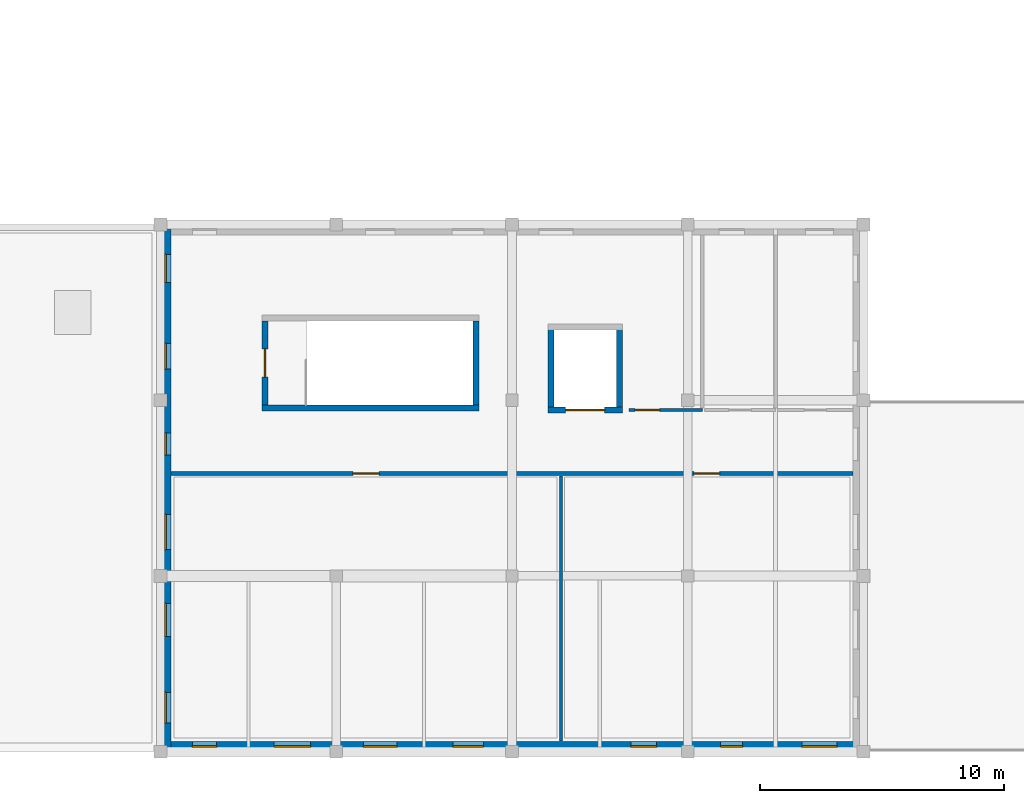
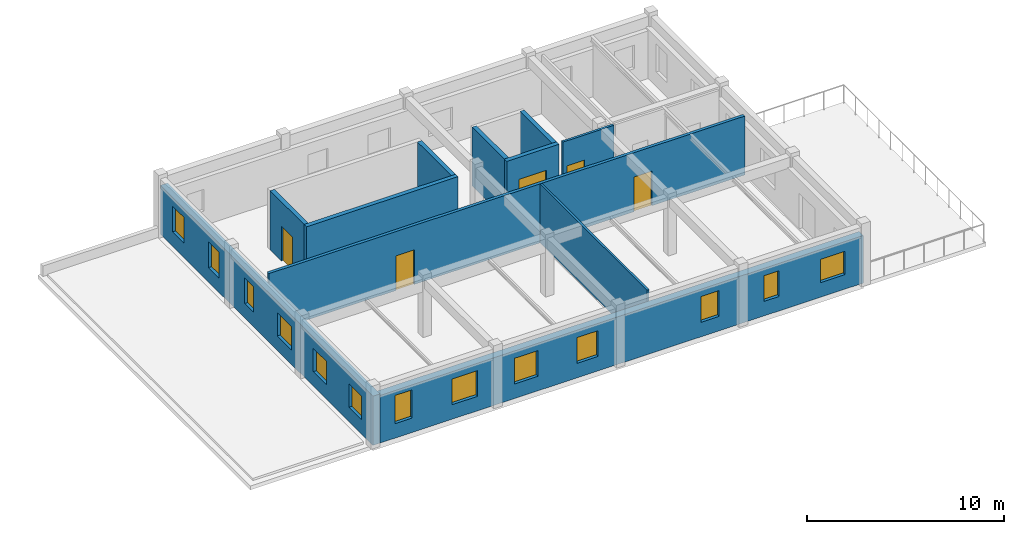
# One storey, part 9 of 20: 13 windows, 11 walls, 5 doors, 18 openings.
"""IFC4 building model written with IfcOpenShell, lengths in metres."""

from ifc_helpers import new_model, si_unit, direction, frame, frame_2d, origin, place, context, subcontext, project, spatial, rectangle, extrude, material, layer, layer_set, type_object, element, fill, save


model = new_model("IFC4")

# Units and contexts
model_context = context("Model", 3, precision=1e-05, world=origin(), true_north=direction((0.0, 1.0)))
body_context = subcontext(model_context, "Body", "Model", "MODEL_VIEW")
ifc_project = project(units=[si_unit("LENGTHUNIT", "METRE"), si_unit("AREAUNIT", "SQUARE_METRE"), si_unit("VOLUMEUNIT", "CUBIC_METRE"), si_unit("PLANEANGLEUNIT", "RADIAN"), si_unit("MASSUNIT", "GRAM", prefix="KILO")], contexts=[model_context])

# Site, building, storey
site_placement = place(None, origin())
site = spatial("IfcSite", under=ifc_project, at=site_placement, CompositionType="ELEMENT")
building_placement = place(site_placement, origin())
building = spatial("IfcBuilding", under=site, at=building_placement, Name="Bramveld Media Centre", CompositionType="ELEMENT")
storey_placement = place(building_placement, frame((0.0, 0.0, 18.0)))
storey = spatial("IfcBuildingStorey", under=building, at=storey_placement, Name="L04", CompositionType="ELEMENT", Elevation=18.0)

# Wall
ifc_material_1 = material(Name="Concrete C40/50 stair & lift core wall", Category="concrete")
ifc_layer_1 = layer(ifc_material_1, 0.25)
ifc_layer_set_1 = layer_set([ifc_layer_1], Name="Concrete C40/50 stair & lift core wall")
wall_type_1 = type_object("IfcWallType", Name="CWALL-SHEAR-250", PredefinedType="SHEAR", material=ifc_layer_set_1)
wall_1_placement = place(storey_placement, frame((69.75, 14.074951171875, 0.0), z_axis=(0.0, 0.0, 1.0), x_axis=(1.0, 0.0, 0.0)))
element("IfcWall", 1, at=wall_1_placement, inside=storey, type_object=wall_type_1, Name="ST-06 L04 stair core shear wall S", PredefinedType="SHEAR", context=body_context, shape_type="SweptSolid", body=[
    extrude(rectangle(XDim=8.89990234375, YDim=0.25, at=frame_2d((4.449951171875, 0.0))), origin(), (0.0, 0.0, 1.0), 3.659912109375),
])

# Wall, opening, door
wall_2_placement = place(storey_placement, frame((69.875, 17.64990234375, 0.0), z_axis=(0.0, 0.0, 1.0), x_axis=(0.0, -1.0, 0.0)))
wall_2 = element("IfcWall", 2, at=wall_2_placement, inside=storey, type_object=wall_type_1, Name="ST-06 L04 stair core shear wall W", PredefinedType="SHEAR", context=body_context, shape_type="SweptSolid", body=[
    extrude(rectangle(XDim=3.449951171875, YDim=0.25, at=frame_2d((1.72509765625, 0.0))), origin(), (0.0, 0.0, 1.0), 3.659912109375),
])
opening_1_placement = place(wall_2_placement, frame((1.14990234375, 0.0, 0.0)))
opening_1 = element("IfcOpeningElement", 3, at=opening_1_placement, cuts=wall_2, Name="Opening SD-06-L04", PredefinedType="OPENING", context=body_context, shape_type="SweptSolid", body=[
    extrude(rectangle(XDim=1.14990234375, YDim=2.14990234375, at=frame_2d((0.574951171875, 1.074951171875))), frame((0.0, 0.136962890625, 0.0), z_axis=(0.0, -1.0, 0.0), x_axis=(1.0, 0.0, 0.0)), (0.0, 0.0, 1.0), 0.27392578125),
])
ifc_material_2 = material(Name="Painted galvanized steel acoustic fire door with intumescent smoke seals", Category="steel")
door_type_1 = type_object("IfcDoorType", Name="DR-ST-1150", OperationType="NOTDEFINED", PredefinedType="DOOR", material=ifc_material_2)
door_1_placement = place(opening_1_placement, origin())
door_1 = element("IfcDoor", 4, at=door_1_placement, inside=storey, type_object=door_type_1, Name="ST-06 L04 pressurized stair fire door", OperationType="SINGLE_SWING_RIGHT", OverallHeight=2.14990234375, OverallWidth=1.14990234375, PredefinedType="DOOR", context=body_context, shape_type="SweptSolid", body=[
    extrude(rectangle(XDim=1.14990234375, YDim=2.14990234375, at=frame_2d((0.574951171875, 1.074951171875))), frame((0.0, 0.02490234375, 0.0), z_axis=(0.0, -1.0, 0.0), x_axis=(1.0, 0.0, 0.0)), (0.0, 0.0, 1.0), 0.050048828125),
])
fill(opening_1, door_1)

# Wall
wall_3_placement = place(storey_placement, frame((78.52490234375, 14.199951171875, 0.0), z_axis=(0.0, 0.0, 1.0), x_axis=(0.0, 1.0, 0.0)))
element("IfcWall", 5, at=wall_3_placement, inside=storey, type_object=wall_type_1, Name="ST-06 L04 stair core shear wall E", PredefinedType="SHEAR", context=body_context, shape_type="SweptSolid", body=[
    extrude(rectangle(XDim=3.449951171875, YDim=0.25, at=frame_2d((1.72509765625, 0.0))), origin(), (0.0, 0.0, 1.0), 3.659912109375),
])

# Wall, opening, door
wall_4_placement = place(storey_placement, frame((81.47509765625, 14.0, 0.0), z_axis=(0.0, 0.0, 1.0), x_axis=(1.0, 0.0, 0.0)))
wall_4 = element("IfcWall", 6, at=wall_4_placement, inside=storey, type_object=wall_type_1, Name="GL-01 L04 lift shaft wall S", PredefinedType="SHEAR", context=body_context, shape_type="SweptSolid", body=[
    extrude(rectangle(XDim=3.0498046875, YDim=0.25, at=frame_2d((1.52490234375, 0.0))), origin(), (0.0, 0.0, 1.0), 3.659912109375),
])
opening_2_placement = place(wall_4_placement, frame((0.72509765625, 0.0, 0.0)))
opening_2 = element("IfcOpeningElement", 7, at=opening_2_placement, cuts=wall_4, Name="Opening LD-04-01-L04", PredefinedType="OPENING", context=body_context, shape_type="SweptSolid", body=[
    extrude(rectangle(XDim=1.60009765625, YDim=2.300048828125, at=frame_2d((0.800048828125, 1.14990234375))), frame((0.0, 0.136962890625, 0.0), z_axis=(0.0, -1.0, 0.0), x_axis=(1.0, 0.0, 0.0)), (0.0, 0.0, 1.0), 0.27392578125),
])
ifc_material_3 = material(Name="Brushed stainless steel automatic fire-rated sliding lift landing door", Category="steel")
door_type_2 = type_object("IfcDoorType", Name="LD-TYPE-04", OperationType="DOUBLE_DOOR_SLIDING", PredefinedType="DOOR", material=ifc_material_3)
door_2_placement = place(opening_2_placement, origin())
door_2 = element("IfcDoor", 8, at=door_2_placement, inside=storey, type_object=door_type_2, Name="GL-01 L04 sliding lift landing door", OperationType="DOUBLE_DOOR_SLIDING", OverallHeight=2.300048828125, OverallWidth=1.60009765625, PredefinedType="DOOR", context=body_context, shape_type="SweptSolid", body=[
    extrude(rectangle(XDim=1.60009765625, YDim=2.300048828125, at=frame_2d((0.800048828125, 1.14990234375))), frame((0.0, 0.02490234375, 0.0), z_axis=(0.0, -1.0, 0.0), x_axis=(1.0, 0.0, 0.0)), (0.0, 0.0, 1.0), 0.050048828125),
])
fill(opening_2, door_2)

# Walls
for number, where, z_axis, x_axis, name in (
    (9, (81.60009765625, 17.39990234375, 0.0), (0.0, 0.0, 1.0), (0.0, -1.0, 0.0), "GL-01 L04 lift shaft wall W"),
    (10, (84.39990234375, 14.0, 0.0), (0.0, 0.0, 1.0), (0.0, 1.0, 0.0), "GL-01 L04 lift shaft wall E"),
):
    element("IfcWall", number, at=place(storey_placement, frame(where, z_axis=z_axis, x_axis=x_axis)), inside=storey, type_object=wall_type_1, Name=name, PredefinedType="SHEAR", context=body_context, shape_type="SweptSolid", body=[
        extrude(rectangle(XDim=3.39990234375, YDim=0.25, at=frame_2d((1.699951171875, 0.0))), origin(), (0.0, 0.0, 1.0), 3.659912109375),
    ])

# Wall, openings, windows
ifc_material_4 = material(Name="Flemish red-brown clay facing brick cavity wall with concrete C35/45 inner leaf", Category="masonry")
ifc_layer_2 = layer(ifc_material_4, 0.419921875)
ifc_layer_set_2 = layer_set([ifc_layer_2], Name="Flemish red-brown clay facing brick cavity wall with concrete C35/45 inner leaf")
wall_type_2 = type_object("IfcWallType", Name="EW-BRK-420", PredefinedType="SOLIDWALL", material=ifc_layer_set_2)
wall_5_placement = place(storey_placement, frame((94.39990234375, 0.2099609375, 0.0), z_axis=(0.0, 0.0, 1.0), x_axis=(-1.0, 0.0, 0.0)))
wall_5 = element("IfcWall", 11, at=wall_5_placement, inside=storey, type_object=wall_type_2, Name="V5 L04 S facing brick exterior wall", PredefinedType="SOLIDWALL", context=body_context, shape_type="SweptSolid", body=[
    extrude(rectangle(XDim=28.7998046875, YDim=0.419921875, at=frame_2d((14.39990234375, 0.0))), origin(), (0.0, 0.0, 1.0), 2.955078125),
])
opening_3_placement = place(wall_5_placement, frame((1.074951171875, 0.0, 0.89990234375)))
opening_3 = element("IfcOpeningElement", 12, at=opening_3_placement, cuts=wall_5, Name="Opening W-12", PredefinedType="OPENING", context=body_context, shape_type="SweptSolid", body=[
    extrude(rectangle(XDim=1.449951171875, YDim=1.449951171875, at=frame_2d((0.72509765625, 0.72509765625))), frame((0.0, 0.221923828125, 0.0), z_axis=(0.0, -1.0, 0.0), x_axis=(1.0, 0.0, 0.0)), (0.0, 0.0, 1.0), 0.44384765625),
])
opening_4_placement = place(wall_5_placement, frame((4.949951171875, 0.0, 0.89990234375)))
opening_4 = element("IfcOpeningElement", 13, at=opening_4_placement, cuts=wall_5, Name="Opening W-13", PredefinedType="OPENING", context=body_context, shape_type="SweptSolid", body=[
    extrude(rectangle(XDim=0.89990234375, YDim=1.60009765625, at=frame_2d((0.449951171875, 0.800048828125))), frame((0.0, 0.221923828125, 0.0), z_axis=(0.0, -1.0, 0.0), x_axis=(1.0, 0.0, 0.0)), (0.0, 0.0, 1.0), 0.44384765625),
])
opening_5_placement = place(wall_5_placement, frame((8.47509765625, 0.0, 0.89990234375)))
opening_5 = element("IfcOpeningElement", 14, at=opening_5_placement, cuts=wall_5, Name="Opening W-14", PredefinedType="OPENING", context=body_context, shape_type="SweptSolid", body=[
    extrude(rectangle(XDim=1.050048828125, YDim=1.60009765625, at=frame_2d((0.52490234375, 0.800048828125))), frame((0.0, 0.221923828125, 0.0), z_axis=(0.0, -1.0, 0.0), x_axis=(1.0, 0.0, 0.0)), (0.0, 0.0, 1.0), 0.44384765625),
])
opening_6_placement = place(wall_5_placement, frame((15.574951171875, 0.0, 0.89990234375)))
opening_6 = element("IfcOpeningElement", 15, at=opening_6_placement, cuts=wall_5, Name="Opening W-16", PredefinedType="OPENING", context=body_context, shape_type="SweptSolid", body=[
    extrude(rectangle(XDim=1.25, YDim=1.60009765625, at=frame_2d((0.625, 0.800048828125))), frame((0.0, 0.221923828125, 0.0), z_axis=(0.0, -1.0, 0.0), x_axis=(1.0, 0.0, 0.0)), (0.0, 0.0, 1.0), 0.44384765625),
])
opening_7_placement = place(wall_5_placement, frame((19.110107421875, 0.0, 0.89990234375)))
opening_7 = element("IfcOpeningElement", 16, at=opening_7_placement, cuts=wall_5, Name="Opening W-17", PredefinedType="OPENING", context=body_context, shape_type="SweptSolid", body=[
    extrude(rectangle(XDim=1.3798828125, YDim=1.60009765625, at=frame_2d((0.68994140625, 0.800048828125))), frame((0.0, 0.221923828125, 0.0), z_axis=(0.0, -1.0, 0.0), x_axis=(1.0, 0.0, 0.0)), (0.0, 0.0, 1.0), 0.44384765625),
])
opening_8_placement = place(wall_5_placement, frame((22.64990234375, 0.0, 0.89990234375)))
opening_8 = element("IfcOpeningElement", 17, at=opening_8_placement, cuts=wall_5, Name="Opening W-18", PredefinedType="OPENING", context=body_context, shape_type="SweptSolid", body=[
    extrude(rectangle(XDim=1.5, YDim=1.60009765625, at=frame_2d((0.75, 0.800048828125))), frame((0.0, 0.221923828125, 0.0), z_axis=(0.0, -1.0, 0.0), x_axis=(1.0, 0.0, 0.0)), (0.0, 0.0, 1.0), 0.44384765625),
])
opening_9_placement = place(wall_5_placement, frame((26.5, 0.0, 0.89990234375)))
opening_9 = element("IfcOpeningElement", 18, at=opening_9_placement, cuts=wall_5, Name="Opening W-19", PredefinedType="OPENING", context=body_context, shape_type="SweptSolid", body=[
    extrude(rectangle(XDim=1.0, YDim=1.75, at=frame_2d((0.5, 0.875))), frame((0.0, 0.221923828125, 0.0), z_axis=(0.0, -1.0, 0.0), x_axis=(1.0, 0.0, 0.0)), (0.0, 0.0, 1.0), 0.44384765625),
])
ifc_material_5 = material(Name="Thermally broken anodized bronze aluminium frame with triple acoustic glazing", Category="aluminium")
window_type_1 = type_object("IfcWindowType", Name="WIN-FAC-12", PartitioningType="SINGLE_PANEL", PredefinedType="WINDOW", material=ifc_material_5)
window_1_placement = place(opening_3_placement, origin())
window_1 = element("IfcWindow", 19, at=window_1_placement, inside=storey, type_object=window_type_1, Name="V5 L04 S acoustic facade window", OverallHeight=1.449951171875, OverallWidth=1.449951171875, PartitioningType="SINGLE_PANEL", PredefinedType="WINDOW", context=body_context, shape_type="SweptSolid", body=[
    extrude(rectangle(XDim=1.449951171875, YDim=1.449951171875, at=frame_2d((0.72509765625, 0.72509765625))), frame((0.0, 0.030029296875, 0.0), z_axis=(0.0, -1.0, 0.0), x_axis=(1.0, 0.0, 0.0)), (0.0, 0.0, 1.0), 0.06005859375),
])
fill(opening_3, window_1)
ifc_material_6 = material(Name="Thermally broken anodized bronze aluminium frame with triple acoustic glazing", Category="aluminium")
window_type_2 = type_object("IfcWindowType", Name="WIN-FAC-13", PartitioningType="SINGLE_PANEL", PredefinedType="WINDOW", material=ifc_material_6)
window_2_placement = place(opening_4_placement, origin())
window_2 = element("IfcWindow", 20, at=window_2_placement, inside=storey, type_object=window_type_2, Name="V5 L04 S acoustic facade window", OverallHeight=1.60009765625, OverallWidth=0.89990234375, PartitioningType="SINGLE_PANEL", PredefinedType="WINDOW", context=body_context, shape_type="SweptSolid", body=[
    extrude(rectangle(XDim=0.89990234375, YDim=1.60009765625, at=frame_2d((0.449951171875, 0.800048828125))), frame((0.0, 0.030029296875, 0.0), z_axis=(0.0, -1.0, 0.0), x_axis=(1.0, 0.0, 0.0)), (0.0, 0.0, 1.0), 0.06005859375),
])
fill(opening_4, window_2)
ifc_material_7 = material(Name="Thermally broken anodized bronze aluminium frame with triple acoustic glazing", Category="aluminium")
window_type_3 = type_object("IfcWindowType", Name="WIN-FAC-14", PartitioningType="SINGLE_PANEL", PredefinedType="WINDOW", material=ifc_material_7)
window_3_placement = place(opening_5_placement, origin())
window_3 = element("IfcWindow", 21, at=window_3_placement, inside=storey, type_object=window_type_3, Name="V5 L04 S acoustic facade window", OverallHeight=1.60009765625, OverallWidth=1.050048828125, PartitioningType="SINGLE_PANEL", PredefinedType="WINDOW", context=body_context, shape_type="SweptSolid", body=[
    extrude(rectangle(XDim=1.050048828125, YDim=1.60009765625, at=frame_2d((0.52490234375, 0.800048828125))), frame((0.0, 0.030029296875, 0.0), z_axis=(0.0, -1.0, 0.0), x_axis=(1.0, 0.0, 0.0)), (0.0, 0.0, 1.0), 0.06005859375),
])
fill(opening_5, window_3)
ifc_material_8 = material(Name="Thermally broken anodized bronze aluminium frame with triple acoustic glazing", Category="aluminium")
window_type_4 = type_object("IfcWindowType", Name="WIN-FAC-16", PartitioningType="SINGLE_PANEL", PredefinedType="WINDOW", material=ifc_material_8)
window_4_placement = place(opening_6_placement, origin())
window_4 = element("IfcWindow", 22, at=window_4_placement, inside=storey, type_object=window_type_4, Name="V5 L04 S acoustic facade window", OverallHeight=1.60009765625, OverallWidth=1.25, PartitioningType="SINGLE_PANEL", PredefinedType="WINDOW", context=body_context, shape_type="SweptSolid", body=[
    extrude(rectangle(XDim=1.25, YDim=1.60009765625, at=frame_2d((0.625, 0.800048828125))), frame((0.0, 0.030029296875, 0.0), z_axis=(0.0, -1.0, 0.0), x_axis=(1.0, 0.0, 0.0)), (0.0, 0.0, 1.0), 0.06005859375),
])
fill(opening_6, window_4)
ifc_material_9 = material(Name="Thermally broken anodized bronze aluminium frame with triple acoustic glazing", Category="aluminium")
window_type_5 = type_object("IfcWindowType", Name="WIN-FAC-17", PartitioningType="SINGLE_PANEL", PredefinedType="WINDOW", material=ifc_material_9)
window_5_placement = place(opening_7_placement, origin())
window_5 = element("IfcWindow", 23, at=window_5_placement, inside=storey, type_object=window_type_5, Name="V5 L04 S acoustic facade window", OverallHeight=1.60009765625, OverallWidth=1.3798828125, PartitioningType="SINGLE_PANEL", PredefinedType="WINDOW", context=body_context, shape_type="SweptSolid", body=[
    extrude(rectangle(XDim=1.3798828125, YDim=1.60009765625, at=frame_2d((0.68994140625, 0.800048828125))), frame((0.0, 0.030029296875, 0.0), z_axis=(0.0, -1.0, 0.0), x_axis=(1.0, 0.0, 0.0)), (0.0, 0.0, 1.0), 0.06005859375),
])
fill(opening_7, window_5)
ifc_material_10 = material(Name="Thermally broken anodized bronze aluminium frame with triple acoustic glazing", Category="aluminium")
window_type_6 = type_object("IfcWindowType", Name="WIN-FAC-18", PartitioningType="SINGLE_PANEL", PredefinedType="WINDOW", material=ifc_material_10)
window_6_placement = place(opening_8_placement, origin())
window_6 = element("IfcWindow", 24, at=window_6_placement, inside=storey, type_object=window_type_6, Name="V5 L04 S acoustic facade window", OverallHeight=1.60009765625, OverallWidth=1.5, PartitioningType="SINGLE_PANEL", PredefinedType="WINDOW", context=body_context, shape_type="SweptSolid", body=[
    extrude(rectangle(XDim=1.5, YDim=1.60009765625, at=frame_2d((0.75, 0.800048828125))), frame((0.0, 0.030029296875, 0.0), z_axis=(0.0, -1.0, 0.0), x_axis=(1.0, 0.0, 0.0)), (0.0, 0.0, 1.0), 0.06005859375),
])
fill(opening_8, window_6)
ifc_material_11 = material(Name="Thermally broken anodized bronze aluminium frame with triple acoustic glazing", Category="aluminium")
window_type_7 = type_object("IfcWindowType", Name="WIN-FAC-19", PartitioningType="SINGLE_PANEL", PredefinedType="WINDOW", material=ifc_material_11)
window_7_placement = place(opening_9_placement, origin())
window_7 = element("IfcWindow", 25, at=window_7_placement, inside=storey, type_object=window_type_7, Name="V5 L04 S acoustic facade window", OverallHeight=1.75, OverallWidth=1.0, PartitioningType="SINGLE_PANEL", PredefinedType="WINDOW", context=body_context, shape_type="SweptSolid", body=[
    extrude(rectangle(XDim=1.0, YDim=1.75, at=frame_2d((0.5, 0.875))), frame((0.0, 0.030029296875, 0.0), z_axis=(0.0, -1.0, 0.0), x_axis=(1.0, 0.0, 0.0)), (0.0, 0.0, 1.0), 0.06005859375),
])
fill(opening_9, window_7)

wall_6_placement = place(storey_placement, frame((65.81005859375, 0.0, 0.0), z_axis=(0.0, 0.0, 1.0), x_axis=(0.0, 1.0, 0.0)))
wall_6 = element("IfcWall", 26, at=wall_6_placement, inside=storey, type_object=wall_type_2, Name="V5 L04 W facing brick exterior wall", PredefinedType="SOLIDWALL", context=body_context, shape_type="SweptSolid", body=[
    extrude(rectangle(XDim=21.60009765625, YDim=0.419921875, at=frame_2d((10.800048828125, 0.0))), origin(), (0.0, 0.0, 1.0), 3.054931640625),
])
opening_10_placement = place(wall_6_placement, frame((1.175048828125, 0.0, 0.89990234375)))
opening_10 = element("IfcOpeningElement", 27, at=opening_10_placement, cuts=wall_6, Name="Opening W-10", PredefinedType="OPENING", context=body_context, shape_type="SweptSolid", body=[
    extrude(rectangle(XDim=1.25, YDim=1.449951171875, at=frame_2d((0.625, 0.72509765625))), frame((0.0, 0.221923828125, 0.0), z_axis=(0.0, -1.0, 0.0), x_axis=(1.0, 0.0, 0.0)), (0.0, 0.0, 1.0), 0.44384765625),
])
opening_11_placement = place(wall_6_placement, frame((4.72509765625, 0.0, 0.89990234375)))
opening_11 = element("IfcOpeningElement", 28, at=opening_11_placement, cuts=wall_6, Name="Opening W-11", PredefinedType="OPENING", context=body_context, shape_type="SweptSolid", body=[
    extrude(rectangle(XDim=1.35009765625, YDim=1.449951171875, at=frame_2d((0.675048828125, 0.72509765625))), frame((0.0, 0.221923828125, 0.0), z_axis=(0.0, -1.0, 0.0), x_axis=(1.0, 0.0, 0.0)), (0.0, 0.0, 1.0), 0.44384765625),
])
opening_12_placement = place(wall_6_placement, frame((8.27490234375, 0.0, 0.89990234375)))
opening_12 = element("IfcOpeningElement", 29, at=opening_12_placement, cuts=wall_6, Name="Opening W-12", PredefinedType="OPENING", context=body_context, shape_type="SweptSolid", body=[
    extrude(rectangle(XDim=1.449951171875, YDim=1.449951171875, at=frame_2d((0.72509765625, 0.72509765625))), frame((0.0, 0.221923828125, 0.0), z_axis=(0.0, -1.0, 0.0), x_axis=(1.0, 0.0, 0.0)), (0.0, 0.0, 1.0), 0.44384765625),
])
opening_13_placement = place(wall_6_placement, frame((12.14990234375, 0.0, 0.89990234375)))
opening_13 = element("IfcOpeningElement", 30, at=opening_13_placement, cuts=wall_6, Name="Opening W-13", PredefinedType="OPENING", context=body_context, shape_type="SweptSolid", body=[
    extrude(rectangle(XDim=0.89990234375, YDim=1.60009765625, at=frame_2d((0.449951171875, 0.800048828125))), frame((0.0, 0.221923828125, 0.0), z_axis=(0.0, -1.0, 0.0), x_axis=(1.0, 0.0, 0.0)), (0.0, 0.0, 1.0), 0.44384765625),
])
opening_14_placement = place(wall_6_placement, frame((15.675048828125, 0.0, 0.89990234375)))
opening_14 = element("IfcOpeningElement", 31, at=opening_14_placement, cuts=wall_6, Name="Opening W-14", PredefinedType="OPENING", context=body_context, shape_type="SweptSolid", body=[
    extrude(rectangle(XDim=1.050048828125, YDim=1.60009765625, at=frame_2d((0.52490234375, 0.800048828125))), frame((0.0, 0.221923828125, 0.0), z_axis=(0.0, -1.0, 0.0), x_axis=(1.0, 0.0, 0.0)), (0.0, 0.0, 1.0), 0.44384765625),
])
opening_15_placement = place(wall_6_placement, frame((19.22509765625, 0.0, 0.89990234375)))
opening_15 = element("IfcOpeningElement", 32, at=opening_15_placement, cuts=wall_6, Name="Opening W-15", PredefinedType="OPENING", context=body_context, shape_type="SweptSolid", body=[
    extrude(rectangle(XDim=1.14990234375, YDim=1.60009765625, at=frame_2d((0.574951171875, 0.800048828125))), frame((0.0, 0.221923828125, 0.0), z_axis=(0.0, -1.0, 0.0), x_axis=(1.0, 0.0, 0.0)), (0.0, 0.0, 1.0), 0.44384765625),
])
ifc_material_12 = material(Name="Thermally broken anodized bronze aluminium frame with triple acoustic glazing", Category="aluminium")
window_type_8 = type_object("IfcWindowType", Name="WIN-FAC-10", PartitioningType="SINGLE_PANEL", PredefinedType="WINDOW", material=ifc_material_12)
window_8_placement = place(opening_10_placement, origin())
window_8 = element("IfcWindow", 33, at=window_8_placement, inside=storey, type_object=window_type_8, Name="V5 L04 W acoustic facade window", OverallHeight=1.449951171875, OverallWidth=1.25, PartitioningType="SINGLE_PANEL", PredefinedType="WINDOW", context=body_context, shape_type="SweptSolid", body=[
    extrude(rectangle(XDim=1.25, YDim=1.449951171875, at=frame_2d((0.625, 0.72509765625))), frame((0.0, 0.030029296875, 0.0), z_axis=(0.0, -1.0, 0.0), x_axis=(1.0, 0.0, 0.0)), (0.0, 0.0, 1.0), 0.06005859375),
])
fill(opening_10, window_8)
ifc_material_13 = material(Name="Thermally broken anodized bronze aluminium frame with triple acoustic glazing", Category="aluminium")
window_type_9 = type_object("IfcWindowType", Name="WIN-FAC-11", PartitioningType="SINGLE_PANEL", PredefinedType="WINDOW", material=ifc_material_13)
window_9_placement = place(opening_11_placement, origin())
window_9 = element("IfcWindow", 34, at=window_9_placement, inside=storey, type_object=window_type_9, Name="V5 L04 W acoustic facade window", OverallHeight=1.449951171875, OverallWidth=1.35009765625, PartitioningType="SINGLE_PANEL", PredefinedType="WINDOW", context=body_context, shape_type="SweptSolid", body=[
    extrude(rectangle(XDim=1.35009765625, YDim=1.449951171875, at=frame_2d((0.675048828125, 0.72509765625))), frame((0.0, 0.030029296875, 0.0), z_axis=(0.0, -1.0, 0.0), x_axis=(1.0, 0.0, 0.0)), (0.0, 0.0, 1.0), 0.06005859375),
])
fill(opening_11, window_9)
window_10_placement = place(opening_12_placement, origin())
window_10 = element("IfcWindow", 35, at=window_10_placement, inside=storey, type_object=window_type_1, Name="V5 L04 W acoustic facade window", OverallHeight=1.449951171875, OverallWidth=1.449951171875, PartitioningType="SINGLE_PANEL", PredefinedType="WINDOW", context=body_context, shape_type="SweptSolid", body=[
    extrude(rectangle(XDim=1.449951171875, YDim=1.449951171875, at=frame_2d((0.72509765625, 0.72509765625))), frame((0.0, 0.030029296875, 0.0), z_axis=(0.0, -1.0, 0.0), x_axis=(1.0, 0.0, 0.0)), (0.0, 0.0, 1.0), 0.06005859375),
])
fill(opening_12, window_10)
window_11_placement = place(opening_13_placement, origin())
window_11 = element("IfcWindow", 36, at=window_11_placement, inside=storey, type_object=window_type_2, Name="V5 L04 W acoustic facade window", OverallHeight=1.60009765625, OverallWidth=0.89990234375, PartitioningType="SINGLE_PANEL", PredefinedType="WINDOW", context=body_context, shape_type="SweptSolid", body=[
    extrude(rectangle(XDim=0.89990234375, YDim=1.60009765625, at=frame_2d((0.449951171875, 0.800048828125))), frame((0.0, 0.030029296875, 0.0), z_axis=(0.0, -1.0, 0.0), x_axis=(1.0, 0.0, 0.0)), (0.0, 0.0, 1.0), 0.06005859375),
])
fill(opening_13, window_11)
window_12_placement = place(opening_14_placement, origin())
window_12 = element("IfcWindow", 37, at=window_12_placement, inside=storey, type_object=window_type_3, Name="V5 L04 W acoustic facade window", OverallHeight=1.60009765625, OverallWidth=1.050048828125, PartitioningType="SINGLE_PANEL", PredefinedType="WINDOW", context=body_context, shape_type="SweptSolid", body=[
    extrude(rectangle(XDim=1.050048828125, YDim=1.60009765625, at=frame_2d((0.52490234375, 0.800048828125))), frame((0.0, 0.030029296875, 0.0), z_axis=(0.0, -1.0, 0.0), x_axis=(1.0, 0.0, 0.0)), (0.0, 0.0, 1.0), 0.06005859375),
])
fill(opening_14, window_12)
ifc_material_14 = material(Name="Thermally broken anodized bronze aluminium frame with triple acoustic glazing", Category="aluminium")
window_type_10 = type_object("IfcWindowType", Name="WIN-FAC-15", PartitioningType="SINGLE_PANEL", PredefinedType="WINDOW", material=ifc_material_14)
window_13_placement = place(opening_15_placement, origin())
window_13 = element("IfcWindow", 38, at=window_13_placement, inside=storey, type_object=window_type_10, Name="V5 L04 W acoustic facade window", OverallHeight=1.60009765625, OverallWidth=1.14990234375, PartitioningType="SINGLE_PANEL", PredefinedType="WINDOW", context=body_context, shape_type="SweptSolid", body=[
    extrude(rectangle(XDim=1.14990234375, YDim=1.60009765625, at=frame_2d((0.574951171875, 0.800048828125))), frame((0.0, 0.030029296875, 0.0), z_axis=(0.0, -1.0, 0.0), x_axis=(1.0, 0.0, 0.0)), (0.0, 0.0, 1.0), 0.06005859375),
])
fill(opening_15, window_13)

# Wall, openings, doors
ifc_material_15 = material(Name="Fire-rated twin-frame gypsum corridor wall", Category="gypsum")
ifc_layer_3 = layer(ifc_material_15, 0.179931640625)
ifc_layer_set_3 = layer_set([ifc_layer_3], Name="Fire-rated twin-frame gypsum corridor wall")
wall_type_3 = type_object("IfcWallType", Name="IW-FIRE-180", PredefinedType="PARTITIONING", material=ifc_layer_set_3)
wall_7_placement = place(storey_placement, frame((66.030029296875, 11.39990234375, 0.0), z_axis=(0.0, 0.0, 1.0), x_axis=(1.0, 0.0, 0.0)))
wall_7 = element("IfcWall", 39, at=wall_7_placement, inside=storey, type_object=wall_type_3, Name="Scholars' Reading Room Corridor partition wall", PredefinedType="PARTITIONING", context=body_context, shape_type="SweptSolid", body=[
    extrude(rectangle(XDim=27.93994140625, YDim=0.179931640625, at=frame_2d((13.969970703125, 0.0))), origin(), (0.0, 0.0, 1.0), 3.659912109375),
])
opening_16_placement = place(wall_7_placement, frame((7.445068359375, 0.0, 0.0)))
opening_16 = element("IfcOpeningElement", 40, at=opening_16_placement, cuts=wall_7, Name="Opening D-04-172", PredefinedType="OPENING", context=body_context, shape_type="SweptSolid", body=[
    extrude(rectangle(XDim=1.080078125, YDim=2.14990234375, at=frame_2d((0.5400390625, 1.074951171875))), frame((0.0, 0.10205078125, 0.0), z_axis=(0.0, -1.0, 0.0), x_axis=(1.0, 0.0, 0.0)), (0.0, 0.0, 1.0), 0.203857421875),
])
opening_17_placement = place(wall_7_placement, frame((21.43505859375, 0.0, 0.0)))
opening_17 = element("IfcOpeningElement", 41, at=opening_17_placement, cuts=wall_7, Name="Opening D-04-173", PredefinedType="OPENING", context=body_context, shape_type="SweptSolid", body=[
    extrude(rectangle(XDim=1.0400390625, YDim=2.14990234375, at=frame_2d((0.52001953125, 1.074951171875))), frame((0.0, 0.10205078125, 0.0), z_axis=(0.0, -1.0, 0.0), x_axis=(1.0, 0.0, 0.0)), (0.0, 0.0, 1.0), 0.203857421875),
])
ifc_material_16 = material(Name="Solid-core European oak acoustic timber leaf in steel frame", Category="steel")
door_type_3 = type_object("IfcDoorType", Name="DR-RM-1040", OperationType="NOTDEFINED", PredefinedType="DOOR", material=ifc_material_16)
door_3_placement = place(opening_17_placement, origin())
door_3 = element("IfcDoor", 42, at=door_3_placement, inside=storey, type_object=door_type_3, Name="Oral History & Podcast Studio entrance door", OperationType="SINGLE_SWING_LEFT", OverallHeight=2.14990234375, OverallWidth=1.0400390625, PredefinedType="DOOR", context=body_context, shape_type="SweptSolid", body=[
    extrude(rectangle(XDim=1.0400390625, YDim=2.14990234375, at=frame_2d((0.52001953125, 1.074951171875))), frame((0.0, 0.02490234375, 0.0), z_axis=(0.0, -1.0, 0.0), x_axis=(1.0, 0.0, 0.0)), (0.0, 0.0, 1.0), 0.050048828125),
])
fill(opening_17, door_3)
ifc_material_17 = material(Name="Solid-core European oak acoustic timber leaf in steel frame", Category="steel")
door_type_4 = type_object("IfcDoorType", Name="DR-RM-1080", OperationType="NOTDEFINED", PredefinedType="DOOR", material=ifc_material_17)
door_4_placement = place(opening_16_placement, origin())
door_4 = element("IfcDoor", 43, at=door_4_placement, inside=storey, type_object=door_type_4, Name="Scholars' Rare-Collection Reading Hall entrance door", OperationType="SINGLE_SWING_RIGHT", OverallHeight=2.14990234375, OverallWidth=1.080078125, PredefinedType="DOOR", context=body_context, shape_type="SweptSolid", body=[
    extrude(rectangle(XDim=1.080078125, YDim=2.14990234375, at=frame_2d((0.5400390625, 1.074951171875))), frame((0.0, 0.02490234375, 0.0), z_axis=(0.0, -1.0, 0.0), x_axis=(1.0, 0.0, 0.0)), (0.0, 0.0, 1.0), 0.050048828125),
])
fill(opening_16, door_4)

# Wall
ifc_material_18 = material(Name="Lightweight acoustic stud partition", Category="gypsum")
ifc_layer_4 = layer(ifc_material_18, 0.125)
ifc_layer_set_4 = layer_set([ifc_layer_4], Name="Lightweight acoustic stud partition")
wall_type_4 = type_object("IfcWallType", Name="IW-PART-125", PredefinedType="PARTITIONING", material=ifc_layer_set_4)
wall_8_placement = place(storey_placement, frame((82.0, 0.429931640625, 0.0), z_axis=(0.0, 0.0, 1.0), x_axis=(0.0, 1.0, 0.0)))
element("IfcWall", 44, at=wall_8_placement, inside=storey, type_object=wall_type_4, Name="Scholars' Rare-Collection Reading Hall partition wall", PredefinedType="PARTITIONING", context=body_context, shape_type="SweptSolid", body=[
    extrude(rectangle(XDim=10.8701171875, YDim=0.125, at=frame_2d((5.43505859375, 0.0))), origin(), (0.0, 0.0, 1.0), 3.659912109375),
])

# Wall, opening, door
ifc_material_19 = material(Name="Moisture-resistant cement-board sanitary partition", Category="gypsum")
ifc_layer_5 = layer(ifc_material_19, 0.139892578125)
ifc_layer_set_5 = layer_set([ifc_layer_5], Name="Moisture-resistant cement-board sanitary partition")
wall_type_5 = type_object("IfcWallType", Name="IW-WET-140", PredefinedType="PARTITIONING", material=ifc_layer_set_5)
wall_9_placement = place(storey_placement, frame((84.800048828125, 14.0, 0.0), z_axis=(0.0, 0.0, 1.0), x_axis=(1.0, 0.0, 0.0)))
wall_9 = element("IfcWall", 45, at=wall_9_placement, inside=storey, type_object=wall_type_5, Name="Accessible WC partition wall", PredefinedType="PARTITIONING", context=body_context, shape_type="SweptSolid", body=[
    extrude(rectangle(XDim=3.0, YDim=0.139892578125, at=frame_2d((1.5, 0.0))), origin(), (0.0, 0.0, 1.0), 3.659912109375),
])
opening_18_placement = place(wall_9_placement, frame((0.25, 0.0, 0.0)))
opening_18 = element("IfcOpeningElement", 46, at=opening_18_placement, cuts=wall_9, Name="Opening D-04-174", PredefinedType="OPENING", context=body_context, shape_type="SweptSolid", body=[
    extrude(rectangle(XDim=1.0, YDim=2.10009765625, at=frame_2d((0.5, 1.050048828125))), frame((0.0, 0.08203125, 0.0), z_axis=(0.0, -1.0, 0.0), x_axis=(1.0, 0.0, 0.0)), (0.0, 0.0, 1.0), 0.163818359375),
])
ifc_material_20 = material(Name="Solid-core European oak acoustic timber leaf in steel frame", Category="steel")
door_type_5 = type_object("IfcDoorType", Name="DR-WC-PMR-1000", OperationType="NOTDEFINED", PredefinedType="DOOR", material=ifc_material_20)
door_5_placement = place(opening_18_placement, origin())
door_5 = element("IfcDoor", 47, at=door_5_placement, inside=storey, type_object=door_type_5, Name="Accessible WC entrance door", OperationType="SINGLE_SWING_RIGHT", OverallHeight=2.10009765625, OverallWidth=1.0, PredefinedType="DOOR", context=body_context, shape_type="SweptSolid", body=[
    extrude(rectangle(XDim=1.0, YDim=2.10009765625, at=frame_2d((0.5, 1.050048828125))), frame((0.0, 0.02490234375, 0.0), z_axis=(0.0, -1.0, 0.0), x_axis=(1.0, 0.0, 0.0)), (0.0, 0.0, 1.0), 0.050048828125),
])
fill(opening_18, door_5)

save(model, "model.ifc")
